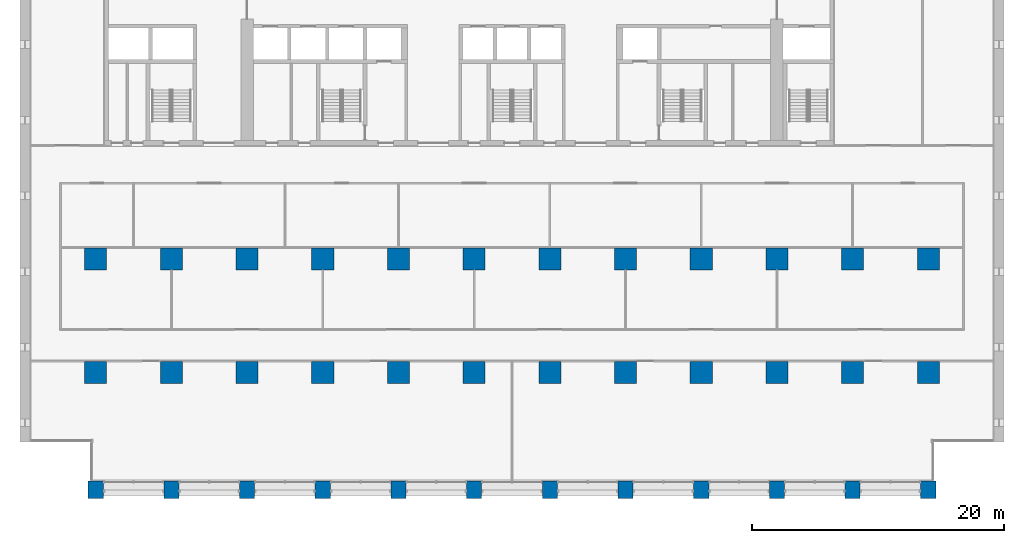
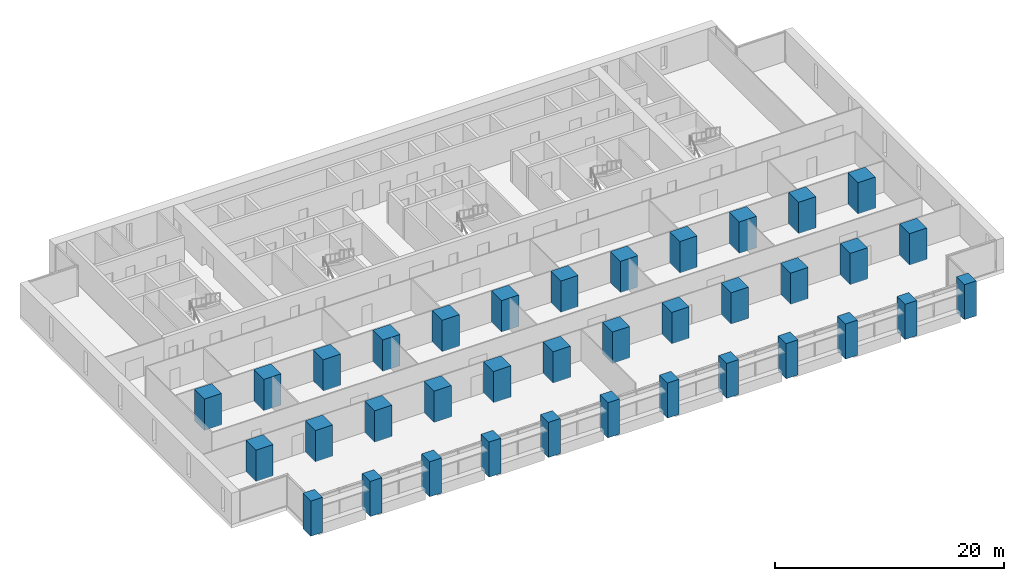
# One storey, part 1 of 18: 36 columns.
"""IFC4 building model written with IfcOpenShell, lengths in metres."""

from ifc_helpers import new_model, si_unit, direction, frame, origin, origin_2d, place, context, subcontext, project, spatial, rectangle, extrude, material, material_profile, profile_set, type_object, element, save


model = new_model("IFC4")

# Units and contexts
model_context = context("Model", 3, precision=1e-05, world=origin(), true_north=direction((0.0, 1.0)))
body_context = subcontext(model_context, "Body", "Model", "MODEL_VIEW")
ifc_project = project(units=[si_unit("LENGTHUNIT", "METRE"), si_unit("AREAUNIT", "SQUARE_METRE"), si_unit("VOLUMEUNIT", "CUBIC_METRE"), si_unit("PLANEANGLEUNIT", "RADIAN"), si_unit("MASSUNIT", "GRAM", prefix="KILO")], contexts=[model_context])

# Site, building, storey
site_placement = place(None, origin())
site = spatial("IfcSite", under=ifc_project, at=site_placement, CompositionType="ELEMENT")
building_placement = place(site_placement, origin())
building = spatial("IfcBuilding", under=site, at=building_placement, Name="Calvaro Tower", CompositionType="ELEMENT")
storey_placement = place(building_placement, frame((0.0, 0.0, 41.25)))
storey = spatial("IfcBuildingStorey", under=building, at=storey_placement, Name="L09", CompositionType="ELEMENT", Elevation=41.25)

# Columns
ifc_material_1 = material(Name="Concrete C80/95", Category="concrete")
ifc_material_profile_1 = material_profile(ifc_material_1, rectangle(XDim=1.75, YDim=1.75, at=origin_2d()), Name="RC 1750x1750")
ifc_profile_set_1 = profile_set([ifc_material_profile_1], Name="Concrete C80/95")
column_type_1 = type_object("IfcColumnType", Name="Column 1750x1750 C80/95", PredefinedType="COLUMN", material=ifc_profile_set_1)
for number, where, z_axis, x_axis, name in (
    (1, (6.0, 10.0, 0.0), (0.0, 0.0, 1.0), (1.0, 0.0, 0.0), "Column 2B"),
    (2, (6.0, 19.0, 0.0), (0.0, 0.0, 1.0), (1.0, 0.0, 0.0), "Column 2C"),
    (3, (12.0, 10.0, 0.0), (0.0, 0.0, 1.0), (1.0, 0.0, 0.0), "Column 3B"),
    (4, (12.0, 19.0, 0.0), (0.0, 0.0, 1.0), (1.0, 0.0, 0.0), "Column 3C"),
    (5, (18.0, 10.0, 0.0), (0.0, 0.0, 1.0), (1.0, 0.0, 0.0), "Column 4B"),
    (6, (18.0, 19.0, 0.0), (0.0, 0.0, 1.0), (1.0, 0.0, 0.0), "Column 4C"),
    (7, (24.0, 10.0, 0.0), (0.0, 0.0, 1.0), (1.0, 0.0, 0.0), "Column 5B"),
    (8, (24.0, 19.0, 0.0), (0.0, 0.0, 1.0), (1.0, 0.0, 0.0), "Column 5C"),
    (9, (30.0, 10.0, 0.0), (0.0, 0.0, 1.0), (1.0, 0.0, 0.0), "Column 6B"),
    (10, (30.0, 19.0, 0.0), (0.0, 0.0, 1.0), (1.0, 0.0, 0.0), "Column 6C"),
    (11, (36.0, 10.0, 0.0), (0.0, 0.0, 1.0), (1.0, 0.0, 0.0), "Column 7B"),
    (12, (36.0, 19.0, 0.0), (0.0, 0.0, 1.0), (1.0, 0.0, 0.0), "Column 7C"),
    (13, (42.0, 10.0, 0.0), (0.0, 0.0, 1.0), (1.0, 0.0, 0.0), "Column 8B"),
    (14, (42.0, 19.0, 0.0), (0.0, 0.0, 1.0), (1.0, 0.0, 0.0), "Column 8C"),
    (15, (48.0, 10.0, 0.0), (0.0, 0.0, 1.0), (1.0, 0.0, 0.0), "Column 9B"),
    (16, (48.0, 19.0, 0.0), (0.0, 0.0, 1.0), (1.0, 0.0, 0.0), "Column 9C"),
    (17, (54.0, 10.0, 0.0), (0.0, 0.0, 1.0), (1.0, 0.0, 0.0), "Column 10B"),
    (18, (54.0, 19.0, 0.0), (0.0, 0.0, 1.0), (1.0, 0.0, 0.0), "Column 10C"),
    (19, (60.0, 10.0, 0.0), (0.0, 0.0, 1.0), (1.0, 0.0, 0.0), "Column 11B"),
    (20, (60.0, 19.0, 0.0), (0.0, 0.0, 1.0), (1.0, 0.0, 0.0), "Column 11C"),
    (21, (66.0, 10.0, 0.0), (0.0, 0.0, 1.0), (1.0, 0.0, 0.0), "Column 12B"),
    (22, (66.0, 19.0, 0.0), (0.0, 0.0, 1.0), (1.0, 0.0, 0.0), "Column 12C"),
    (23, (72.0, 10.0, 0.0), (0.0, 0.0, 1.0), (1.0, 0.0, 0.0), "Column 13B"),
    (24, (72.0, 19.0, 0.0), (0.0, 0.0, 1.0), (1.0, 0.0, 0.0), "Column 13C"),
):
    element("IfcColumn", number, at=place(storey_placement, frame(where, z_axis=z_axis, x_axis=x_axis)), inside=storey, type_object=column_type_1, Name=name, PredefinedType="COLUMN", context=body_context, shape_type="SweptSolid", body=[
        extrude(rectangle(XDim=1.75, YDim=1.75, at=origin_2d()), origin(), (0.0, 0.0, 1.0), 3.35009765625),
    ])
ifc_material_2 = material(Name="Concrete C80/95", Category="concrete")
ifc_material_profile_2 = material_profile(ifc_material_2, rectangle(XDim=1.199951171875, YDim=1.39990234375, at=origin_2d()), Name="RC 1200x1400")
ifc_profile_set_2 = profile_set([ifc_material_profile_2], Name="Concrete C80/95")
column_type_2 = type_object("IfcColumnType", Name="Pier 1200x1400 C80/95", PredefinedType="COLUMN", material=ifc_profile_set_2)
for number, where, z_axis, x_axis, name in (
    (25, (6.0, 0.699951171875, -0.39990234375), (0.0, 0.0, 1.0), (1.0, 0.0, 0.0), "South pier 2"),
    (26, (12.0, 0.699951171875, -0.39990234375), (0.0, 0.0, 1.0), (1.0, 0.0, 0.0), "South pier 3"),
    (27, (18.0, 0.699951171875, -0.39990234375), (0.0, 0.0, 1.0), (1.0, 0.0, 0.0), "South pier 4"),
    (28, (24.0, 0.699951171875, -0.39990234375), (0.0, 0.0, 1.0), (1.0, 0.0, 0.0), "South pier 5"),
    (29, (30.0, 0.699951171875, -0.39990234375), (0.0, 0.0, 1.0), (1.0, 0.0, 0.0), "South pier 6"),
    (30, (36.0, 0.699951171875, -0.39990234375), (0.0, 0.0, 1.0), (1.0, 0.0, 0.0), "South pier 7"),
    (31, (42.0, 0.699951171875, -0.39990234375), (0.0, 0.0, 1.0), (1.0, 0.0, 0.0), "South pier 8"),
    (32, (48.0, 0.699951171875, -0.39990234375), (0.0, 0.0, 1.0), (1.0, 0.0, 0.0), "South pier 9"),
    (33, (54.0, 0.699951171875, -0.39990234375), (0.0, 0.0, 1.0), (1.0, 0.0, 0.0), "South pier 10"),
    (34, (60.0, 0.699951171875, -0.39990234375), (0.0, 0.0, 1.0), (1.0, 0.0, 0.0), "South pier 11"),
    (35, (66.0, 0.699951171875, -0.39990234375), (0.0, 0.0, 1.0), (1.0, 0.0, 0.0), "South pier 12"),
    (36, (72.0, 0.699951171875, -0.39990234375), (0.0, 0.0, 1.0), (1.0, 0.0, 0.0), "South pier 13"),
):
    element("IfcColumn", number, at=place(storey_placement, frame(where, z_axis=z_axis, x_axis=x_axis)), inside=storey, type_object=column_type_2, Name=name, PredefinedType="COLUMN", context=body_context, shape_type="SweptSolid", body=[
        extrude(rectangle(XDim=1.199951171875, YDim=1.39990234375, at=origin_2d()), origin(), (0.0, 0.0, 1.0), 3.75),
    ])

save(model, "model.ifc")
